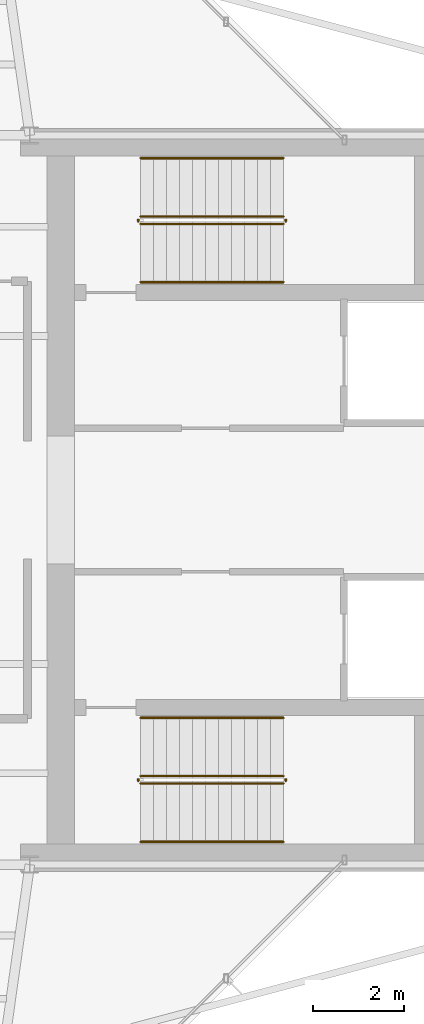
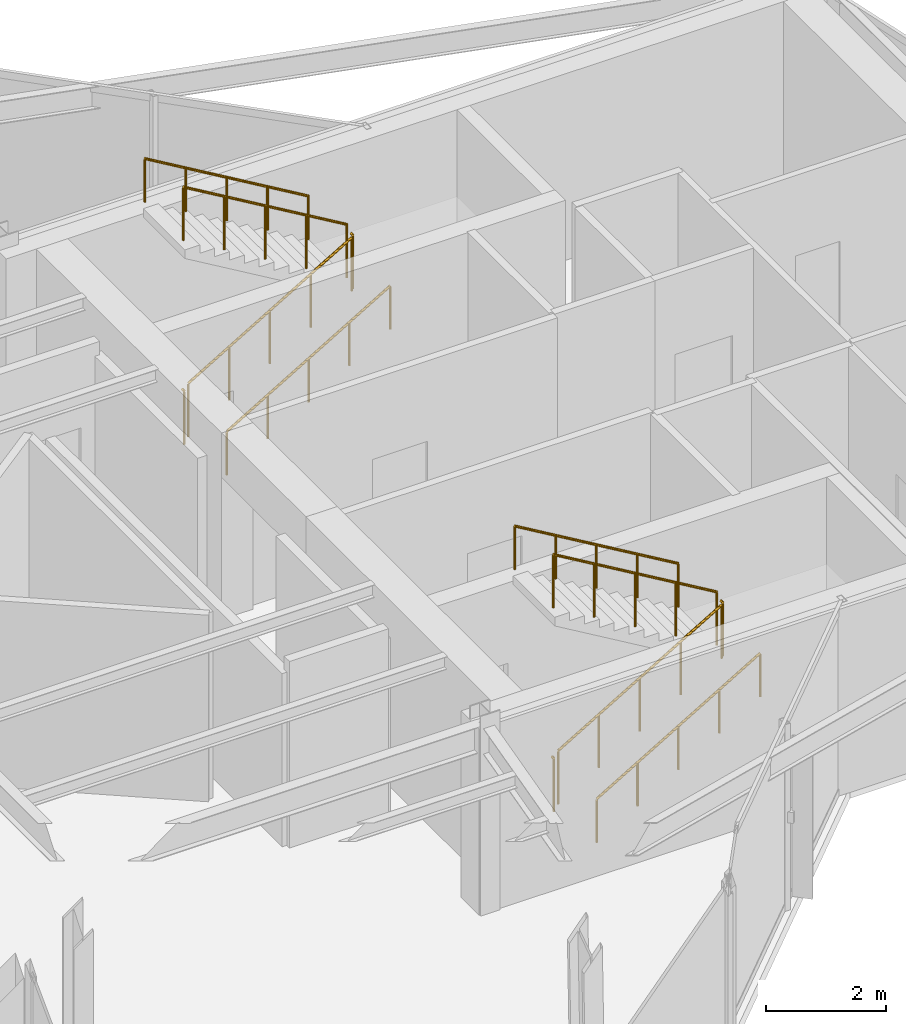
# One storey, part 13 of 13: 12 railings.
"""IFC4 building model written with IfcOpenShell, lengths in metres."""

import ifcopenshell
import ifcopenshell.guid

model = None  # the IFC model being written
_history = None  # IfcOwnerHistory: only IFC2X3 demands one
_inside = {}  # id of a spatial element -> (the spatial element, [elements in it])
_under = {}  # id of a project, library or spatial element -> (it, [spatial elements below it])
_declared = {}  # id of a project -> (the project, [libraries it declares])
_typed = {}  # id of a type object -> (the type object, [elements of that type])
_made_of = {}  # id of a material, layer set ... -> (it, [elements and type objects made of it])


def new_model(schema):
    """Start an empty IFC model of exactly this schema.

    Asked for "IFC4X3", IfcOpenShell would pick the latest addendum, in which some entities
    have other attributes; the version numbers below select the first issue.
    IFC2X3 requires an IfcOwnerHistory on every rooted entity: one is made here for all.
    """
    global model, _history
    if schema == "IFC4X3":
        model = ifcopenshell.file(schema_version=(4, 3, 0, 0))
    else:
        model = ifcopenshell.file(schema=schema)
    _inside.clear()
    _under.clear()
    _declared.clear()
    _typed.clear()
    _made_of.clear()
    _history = None
    if model.schema == "IFC2X3":
        org = make("IfcOrganization", Name="unknown")
        user = make(
            "IfcPersonAndOrganization",
            ThePerson=make("IfcPerson", FamilyName="unknown"),
            TheOrganization=org,
        )
        app = make(
            "IfcApplication",
            ApplicationDeveloper=org,
            Version="unknown",
            ApplicationFullName="unknown",
            ApplicationIdentifier="unknown",
        )
        _history = make(
            "IfcOwnerHistory",
            OwningUser=user,
            OwningApplication=app,
            ChangeAction="ADDED",
            CreationDate=0,
        )
    return model


def make(cls, **values):
    """One entity of the class cls with the attributes given. An attribute that is None is left unset."""
    return model.create_entity(
        cls, **{name: value for name, value in values.items() if value is not None}
    )


def rooted(cls, **values):
    """An entity with a GlobalId (a new one), such as an element, a storey or a relation."""
    return make(cls, GlobalId=ifcopenshell.guid.new(), OwnerHistory=_history, **values)


def si_unit(unit_type, name, prefix=None):
    """IfcSIUnit, for example si_unit("LENGTHUNIT", "METRE", prefix="MILLI")."""
    return make("IfcSIUnit", UnitType=unit_type, Prefix=prefix, Name=name)


def assignment(units):
    """IfcUnitAssignment: the units of a project."""
    return None if units is None else make("IfcUnitAssignment", Units=units)


def point(xyz):
    """IfcCartesianPoint."""
    return None if xyz is None else make("IfcCartesianPoint", Coordinates=xyz)


def direction(xyz):
    """IfcDirection."""
    return None if xyz is None else make("IfcDirection", DirectionRatios=xyz)


def frame(location, z_axis=None, x_axis=None):
    """IfcAxis2Placement3D, a coordinate frame: its origin and axes. An axis left out is left unset."""
    return make(
        "IfcAxis2Placement3D",
        Location=point(location),
        Axis=direction(z_axis),
        RefDirection=direction(x_axis),
    )


def frame_2d(location, x_axis=None):
    """IfcAxis2Placement2D, a coordinate frame in the plane: its origin and x axis."""
    return make(
        "IfcAxis2Placement2D", Location=point(location), RefDirection=direction(x_axis)
    )


def origin():
    """The frame at (0, 0, 0) with its axes left unset."""
    return frame((0.0, 0.0, 0.0))


def origin_2d():
    """The frame at (0, 0) in the plane with its x axis left unset."""
    return frame_2d((0.0, 0.0))


def place(relative_to, where):
    """IfcLocalPlacement: puts the frame where relative to a parent placement (None: the world)."""
    return make(
        "IfcLocalPlacement", PlacementRelTo=relative_to, RelativePlacement=where
    )


def context(
    kind, dimensions, precision=None, world=None, true_north=None, identifier=None
):
    """IfcGeometricRepresentationContext, for example the 3D "Model" context."""
    return make(
        "IfcGeometricRepresentationContext",
        ContextIdentifier=identifier,
        ContextType=kind,
        CoordinateSpaceDimension=dimensions,
        Precision=precision,
        WorldCoordinateSystem=world,
        TrueNorth=true_north,
    )


def subcontext(parent, identifier, kind, view, scale=None):
    """IfcGeometricRepresentationSubContext, for example "Body" below "Model"."""
    return make(
        "IfcGeometricRepresentationSubContext",
        ContextIdentifier=identifier,
        ContextType=kind,
        ParentContext=parent,
        TargetScale=scale,
        TargetView=view,
    )


def project(units=None, contexts=None):
    """IfcProject with its units and contexts."""
    return rooted(
        "IfcProject",
        Name="project",
        RepresentationContexts=contexts,
        UnitsInContext=assignment(units),
    )


def spatial(cls, under=None, at=None, **own):
    """A site, building, storey or space (cls), placed at a placement, below another one or the project."""
    s = rooted(cls, ObjectPlacement=at, **own)
    if under is not None:
        _under.setdefault(under.id(), (under, []))[1].append(s)
    return s


def profile(cls, at=None, kind="AREA", **sizes):
    """A parametric profile (cls). Its sizes go by their IFC names, for example OverallWidth=200.0."""
    return make(cls, ProfileType=kind, Position=at, **sizes)


def circle(**sizes):
    """IfcCircleProfileDef."""
    return profile("IfcCircleProfileDef", **sizes)


def extrude(swept, where, along, depth):
    """IfcExtrudedAreaSolid: the profile swept, set in the frame where, extruded along a direction by depth."""
    return make(
        "IfcExtrudedAreaSolid",
        SweptArea=swept,
        Position=where,
        ExtrudedDirection=direction(along),
        Depth=depth,
    )


def shape(context_of_items, identifier, shape_type, items):
    """IfcShapeRepresentation: the items that make up one representation, for example the "Body"."""
    return make(
        "IfcShapeRepresentation",
        ContextOfItems=context_of_items,
        RepresentationIdentifier=identifier,
        RepresentationType=shape_type,
        Items=items,
    )


def material(Name=None, Category=None):
    """IfcMaterial."""
    return make("IfcMaterial", Name=Name, Category=Category)


def made_of(thing, what):
    """Note that an element or type object is made of a material, layer set ...; save() writes the relation."""
    if what is not None:
        _made_of.setdefault(what.id(), (what, []))[1].append(thing)
    return thing


def type_object(cls, material=None, **own):
    """A type object (cls), such as IfcWallType, which elements share."""
    return made_of(rooted(cls, **own), material)


def element(
    cls,
    number,
    at=None,
    inside=None,
    cuts=None,
    type_object=None,
    material=None,
    context=None,
    identifier="Body",
    shape_type=None,
    held_by="IfcProductDefinitionShape",
    body=None,
    shapes=None,
    **own,
):
    """One element of the class cls, such as IfcWall. Its Tag is "e" and its number.

    at: its placement. inside: the storey or other place that contains it. cuts: it is an
    opening in that element (IfcRelVoidsElement). A single representation is given by context,
    identifier, shape_type and body (its items); several are given by shapes. held_by: the class
    of the entity that holds the representations. save() writes the other relations.
    """
    e = rooted(cls, Tag="e%d" % number, ObjectPlacement=at, **own)
    if body is not None:
        shapes = [shape(context, identifier, shape_type, body)]
    if shapes is not None:
        e.Representation = make(held_by, Representations=shapes)
    if inside is not None:
        _inside.setdefault(inside.id(), (inside, []))[1].append(e)
    if cuts is not None:
        rooted(
            "IfcRelVoidsElement", RelatingBuildingElement=cuts, RelatedOpeningElement=e
        )
    if type_object is not None:
        _typed.setdefault(type_object.id(), (type_object, []))[1].append(e)
    return made_of(e, material)


def aggregate(whole, parts):
    """IfcRelAggregates: a whole, such as a stair, and the parts it consists of."""
    return rooted("IfcRelAggregates", RelatingObject=whole, RelatedObjects=parts)


def save(model, path):
    """Write the relations noted so far, then the file.

    IfcRelAggregates (storeys below a building ...), IfcRelContainedInSpatialStructure (elements
    in a storey), IfcRelDefinesByType, IfcRelAssociatesMaterial and IfcRelDeclares: one each for
    every whole, place, type object, material and project.
    """
    for whole, parts in _under.values():
        aggregate(whole, parts)
    for where, things in _inside.values():
        rooted(
            "IfcRelContainedInSpatialStructure",
            RelatedElements=things,
            RelatingStructure=where,
        )
    for kind, things in _typed.values():
        rooted("IfcRelDefinesByType", RelatedObjects=things, RelatingType=kind)
    for what, things in _made_of.values():
        rooted("IfcRelAssociatesMaterial", RelatedObjects=things, RelatingMaterial=what)
    for by, libraries in _declared.values():
        rooted("IfcRelDeclares", RelatingContext=by, RelatedDefinitions=libraries)
    model.write(path)


model = new_model("IFC4")

# Units and contexts
model_context = context("Model", 3, precision=1e-05, world=origin(), true_north=direction((0.0, 1.0)))
body_context = subcontext(model_context, "Body", "Model", "MODEL_VIEW")
ifc_project = project(units=[si_unit("LENGTHUNIT", "METRE"), si_unit("AREAUNIT", "SQUARE_METRE"), si_unit("VOLUMEUNIT", "CUBIC_METRE"), si_unit("PLANEANGLEUNIT", "RADIAN"), si_unit("MASSUNIT", "GRAM", prefix="KILO")], contexts=[model_context])

# Site, building, storey
site_placement = place(None, origin())
site = spatial("IfcSite", under=ifc_project, at=site_placement, CompositionType="ELEMENT")
building_placement = place(site_placement, origin())
building = spatial("IfcBuilding", under=site, at=building_placement, Name="Veymaron Broadcast Tower", CompositionType="ELEMENT")
storey_placement = place(building_placement, frame((0.0, 0.0, 311.39990234375)))
storey = spatial("IfcBuildingStorey", under=building, at=storey_placement, Name="L73", CompositionType="ELEMENT", Elevation=311.39990234375)

# Railings
ifc_material_1 = material(Name="Brushed stainless steel AISI 304", Category="steel")
railing_type_1 = type_object("IfcRailingType", Name="RAIL-STAIR-HR", PredefinedType="HANDRAIL", material=ifc_material_1)
railing_1_placement = place(storey_placement, frame((41.429931640625, 28.780029296875, 0.1689453125)))
element("IfcRailing", 1, at=railing_1_placement, inside=storey, type_object=railing_type_1, Name="L73 ST1 stair handrail 1", PredefinedType="HANDRAIL", context=body_context, shape_type="SweptSolid", body=[
    extrude(circle(Radius=0.02392578125, at=origin_2d()), frame((0.0, 0.0, 0.8759765625), z_axis=(0.860481960309, 0.0, 0.509480908359), x_axis=(0.0, 1.0, 0.0)), (0.0, 0.0, 1.0), 3.643310546875),
    extrude(circle(Radius=0.02099609375, at=origin_2d()), origin(), (0.0, 0.0, 1.0), 0.851806640625),
    extrude(circle(Radius=0.02099609375, at=origin_2d()), frame((0.78369140625, 0.0, 0.464111328125)), (0.0, 0.0, 1.0), 0.851806640625),
    extrude(circle(Radius=0.02099609375, at=origin_2d()), frame((1.5673828125, 0.0, 0.92822265625)), (0.0, 0.0, 1.0), 0.851806640625),
    extrude(circle(Radius=0.02099609375, at=origin_2d()), frame((2.351318359375, 0.0, 1.39208984375)), (0.0, 0.0, 1.0), 0.851806640625),
    extrude(circle(Radius=0.02099609375, at=origin_2d()), frame((3.135009765625, 0.0, 1.856201171875)), (0.0, 0.0, 1.0), 0.851806640625),
])
railing_2_placement = place(storey_placement, frame((44.56494140625, 31.5, 2.19384765625)))
element("IfcRailing", 2, at=railing_2_placement, inside=storey, type_object=railing_type_1, Name="L73 ST1 stair handrail 2", PredefinedType="HANDRAIL", context=body_context, shape_type="SweptSolid", body=[
    extrude(circle(Radius=0.02392578125, at=origin_2d()), frame((0.0, 0.0, 0.8759765625), z_axis=(-0.860481960309, 0.0, 0.509480908359), x_axis=(0.0, -1.0, 0.0)), (0.0, 0.0, 1.0), 3.643310546875),
    extrude(circle(Radius=0.02099609375, at=origin_2d()), origin(), (0.0, 0.0, 1.0), 0.851806640625),
    extrude(circle(Radius=0.02099609375, at=origin_2d()), frame((-0.78369140625, 0.0, 0.464111328125)), (0.0, 0.0, 1.0), 0.851806640625),
    extrude(circle(Radius=0.02099609375, at=origin_2d()), frame((-1.5673828125, 0.0, 0.92822265625)), (0.0, 0.0, 1.0), 0.851806640625),
    extrude(circle(Radius=0.02099609375, at=origin_2d()), frame((-2.351318359375, 0.0, 1.39208984375)), (0.0, 0.0, 1.0), 0.851806640625),
    extrude(circle(Radius=0.02099609375, at=origin_2d()), frame((-3.135009765625, 0.0, 1.856201171875)), (0.0, 0.0, 1.0), 0.851806640625),
])
railing_3_placement = place(storey_placement, frame((41.429931640625, 16.5, 0.1689453125)))
element("IfcRailing", 3, at=railing_3_placement, inside=storey, type_object=railing_type_1, Name="L73 ST2 stair handrail 1", PredefinedType="HANDRAIL", context=body_context, shape_type="SweptSolid", body=[
    extrude(circle(Radius=0.02392578125, at=origin_2d()), frame((0.0, 0.0, 0.8759765625), z_axis=(0.860481960309, 0.0, 0.509480908359), x_axis=(0.0, 1.0, 0.0)), (0.0, 0.0, 1.0), 3.643310546875),
    extrude(circle(Radius=0.02099609375, at=origin_2d()), origin(), (0.0, 0.0, 1.0), 0.851806640625),
    extrude(circle(Radius=0.02099609375, at=origin_2d()), frame((0.78369140625, 0.0, 0.464111328125)), (0.0, 0.0, 1.0), 0.851806640625),
    extrude(circle(Radius=0.02099609375, at=origin_2d()), frame((1.5673828125, 0.0, 0.92822265625)), (0.0, 0.0, 1.0), 0.851806640625),
    extrude(circle(Radius=0.02099609375, at=origin_2d()), frame((2.351318359375, 0.0, 1.39208984375)), (0.0, 0.0, 1.0), 0.851806640625),
    extrude(circle(Radius=0.02099609375, at=origin_2d()), frame((3.135009765625, 0.0, 1.856201171875)), (0.0, 0.0, 1.0), 0.851806640625),
])
railing_4_placement = place(storey_placement, frame((44.56494140625, 19.219970703125, 2.19384765625)))
element("IfcRailing", 4, at=railing_4_placement, inside=storey, type_object=railing_type_1, Name="L73 ST2 stair handrail 2", PredefinedType="HANDRAIL", context=body_context, shape_type="SweptSolid", body=[
    extrude(circle(Radius=0.02392578125, at=origin_2d()), frame((0.0, 0.0, 0.8759765625), z_axis=(-0.860481960309, 0.0, 0.509480908359), x_axis=(0.0, -1.0, 0.0)), (0.0, 0.0, 1.0), 3.643310546875),
    extrude(circle(Radius=0.02099609375, at=origin_2d()), origin(), (0.0, 0.0, 1.0), 0.851806640625),
    extrude(circle(Radius=0.02099609375, at=origin_2d()), frame((-0.78369140625, 0.0, 0.464111328125)), (0.0, 0.0, 1.0), 0.851806640625),
    extrude(circle(Radius=0.02099609375, at=origin_2d()), frame((-1.5673828125, 0.0, 0.92822265625)), (0.0, 0.0, 1.0), 0.851806640625),
    extrude(circle(Radius=0.02099609375, at=origin_2d()), frame((-2.351318359375, 0.0, 1.39208984375)), (0.0, 0.0, 1.0), 0.851806640625),
    extrude(circle(Radius=0.02099609375, at=origin_2d()), frame((-3.135009765625, 0.0, 1.856201171875)), (0.0, 0.0, 1.0), 0.851806640625),
])
ifc_material_2 = material(Name="Painted galvanized steel balustrade", Category="steel")
railing_type_2 = type_object("IfcRailingType", Name="RAIL-WELL-GRD", PredefinedType="GUARDRAIL", material=ifc_material_2)
railing_5_placement = place(storey_placement, frame((41.429931640625, 30.06005859375, 0.1689453125)))
element("IfcRailing", 5, at=railing_5_placement, inside=storey, type_object=railing_type_2, Name="L73 ST1 stair guard 1", PredefinedType="GUARDRAIL", context=body_context, shape_type="SweptSolid", body=[
    extrude(circle(Radius=0.02392578125, at=origin_2d()), frame((0.0, 0.0, 1.076171875), z_axis=(0.860481960309, 0.0, 0.509480908359), x_axis=(0.0, 1.0, 0.0)), (0.0, 0.0, 1.0), 3.643310546875),
    extrude(circle(Radius=0.02099609375, at=origin_2d()), origin(), (0.0, 0.0, 1.0), 1.052001953125),
    extrude(circle(Radius=0.02099609375, at=origin_2d()), frame((0.78369140625, 0.0, 0.464111328125)), (0.0, 0.0, 1.0), 1.052001953125),
    extrude(circle(Radius=0.02099609375, at=origin_2d()), frame((1.5673828125, 0.0, 0.92822265625)), (0.0, 0.0, 1.0), 1.052001953125),
    extrude(circle(Radius=0.02099609375, at=origin_2d()), frame((2.351318359375, 0.0, 1.39208984375)), (0.0, 0.0, 1.0), 1.052001953125),
    extrude(circle(Radius=0.02099609375, at=origin_2d()), frame((3.135009765625, 0.0, 1.856201171875)), (0.0, 0.0, 1.0), 1.052001953125),
])
railing_6_placement = place(storey_placement, frame((44.614990234375, 30.110107421875, 2.025146484375)))
element("IfcRailing", 6, at=railing_6_placement, inside=storey, type_object=railing_type_2, Name="L73 ST1 stair guard 2", PredefinedType="GUARDRAIL", context=body_context, shape_type="SweptSolid", body=[
    extrude(circle(Radius=0.02392578125, at=origin_2d()), frame((0.0, 0.0, 1.076171875), z_axis=(0.0, 1.0, 0.0), x_axis=(-1.0, 0.0, 0.0)), (0.0, 0.0, 1.0), 0.059814453125),
    extrude(circle(Radius=0.02099609375, at=origin_2d()), origin(), (0.0, 0.0, 1.0), 1.052001953125),
])
railing_7_placement = place(storey_placement, frame((44.56494140625, 30.219970703125, 2.19384765625)))
element("IfcRailing", 7, at=railing_7_placement, inside=storey, type_object=railing_type_2, Name="L73 ST1 stair guard 3", PredefinedType="GUARDRAIL", context=body_context, shape_type="SweptSolid", body=[
    extrude(circle(Radius=0.02392578125, at=origin_2d()), frame((0.0, 0.0, 1.076171875), z_axis=(-0.860481960309, 0.0, 0.509480908359), x_axis=(0.0, -1.0, 0.0)), (0.0, 0.0, 1.0), 3.643310546875),
    extrude(circle(Radius=0.02099609375, at=origin_2d()), origin(), (0.0, 0.0, 1.0), 1.052001953125),
    extrude(circle(Radius=0.02099609375, at=origin_2d()), frame((-0.78369140625, 0.0, 0.464111328125)), (0.0, 0.0, 1.0), 1.052001953125),
    extrude(circle(Radius=0.02099609375, at=origin_2d()), frame((-1.5673828125, 0.0, 0.92822265625)), (0.0, 0.0, 1.0), 1.052001953125),
    extrude(circle(Radius=0.02099609375, at=origin_2d()), frame((-2.351318359375, 0.0, 1.39208984375)), (0.0, 0.0, 1.0), 1.052001953125),
    extrude(circle(Radius=0.02099609375, at=origin_2d()), frame((-3.135009765625, 0.0, 1.856201171875)), (0.0, 0.0, 1.0), 1.052001953125),
])
railing_8_placement = place(storey_placement, frame((41.3798828125, 30.110107421875, 0.0)))
element("IfcRailing", 8, at=railing_8_placement, inside=storey, type_object=railing_type_2, Name="L73 ST1 stair guard 4", PredefinedType="GUARDRAIL", context=body_context, shape_type="SweptSolid", body=[
    extrude(circle(Radius=0.02392578125, at=origin_2d()), frame((0.0, 0.0, 1.076171875), z_axis=(0.0, 1.0, 0.0), x_axis=(-1.0, 0.0, 0.0)), (0.0, 0.0, 1.0), 0.059814453125),
    extrude(circle(Radius=0.02099609375, at=origin_2d()), origin(), (0.0, 0.0, 1.0), 1.052001953125),
])
railing_9_placement = place(storey_placement, frame((41.429931640625, 17.780029296875, 0.1689453125)))
element("IfcRailing", 9, at=railing_9_placement, inside=storey, type_object=railing_type_2, Name="L73 ST2 stair guard 1", PredefinedType="GUARDRAIL", context=body_context, shape_type="SweptSolid", body=[
    extrude(circle(Radius=0.02392578125, at=origin_2d()), frame((0.0, 0.0, 1.076171875), z_axis=(0.860481960309, 0.0, 0.509480908359), x_axis=(0.0, 1.0, 0.0)), (0.0, 0.0, 1.0), 3.643310546875),
    extrude(circle(Radius=0.02099609375, at=origin_2d()), origin(), (0.0, 0.0, 1.0), 1.052001953125),
    extrude(circle(Radius=0.02099609375, at=origin_2d()), frame((0.78369140625, 0.0, 0.464111328125)), (0.0, 0.0, 1.0), 1.052001953125),
    extrude(circle(Radius=0.02099609375, at=origin_2d()), frame((1.5673828125, 0.0, 0.92822265625)), (0.0, 0.0, 1.0), 1.052001953125),
    extrude(circle(Radius=0.02099609375, at=origin_2d()), frame((2.351318359375, 0.0, 1.39208984375)), (0.0, 0.0, 1.0), 1.052001953125),
    extrude(circle(Radius=0.02099609375, at=origin_2d()), frame((3.135009765625, 0.0, 1.856201171875)), (0.0, 0.0, 1.0), 1.052001953125),
])
railing_10_placement = place(storey_placement, frame((44.614990234375, 17.830078125, 2.025146484375)))
element("IfcRailing", 10, at=railing_10_placement, inside=storey, type_object=railing_type_2, Name="L73 ST2 stair guard 2", PredefinedType="GUARDRAIL", context=body_context, shape_type="SweptSolid", body=[
    extrude(circle(Radius=0.02392578125, at=origin_2d()), frame((0.0, 0.0, 1.076171875), z_axis=(0.0, 1.0, 0.0), x_axis=(-1.0, 0.0, 0.0)), (0.0, 0.0, 1.0), 0.059814453125),
    extrude(circle(Radius=0.02099609375, at=origin_2d()), origin(), (0.0, 0.0, 1.0), 1.052001953125),
])
railing_11_placement = place(storey_placement, frame((44.56494140625, 17.93994140625, 2.19384765625)))
element("IfcRailing", 11, at=railing_11_placement, inside=storey, type_object=railing_type_2, Name="L73 ST2 stair guard 3", PredefinedType="GUARDRAIL", context=body_context, shape_type="SweptSolid", body=[
    extrude(circle(Radius=0.02392578125, at=origin_2d()), frame((0.0, 0.0, 1.076171875), z_axis=(-0.860481960309, 0.0, 0.509480908359), x_axis=(0.0, -1.0, 0.0)), (0.0, 0.0, 1.0), 3.643310546875),
    extrude(circle(Radius=0.02099609375, at=origin_2d()), origin(), (0.0, 0.0, 1.0), 1.052001953125),
    extrude(circle(Radius=0.02099609375, at=origin_2d()), frame((-0.78369140625, 0.0, 0.464111328125)), (0.0, 0.0, 1.0), 1.052001953125),
    extrude(circle(Radius=0.02099609375, at=origin_2d()), frame((-1.5673828125, 0.0, 0.92822265625)), (0.0, 0.0, 1.0), 1.052001953125),
    extrude(circle(Radius=0.02099609375, at=origin_2d()), frame((-2.351318359375, 0.0, 1.39208984375)), (0.0, 0.0, 1.0), 1.052001953125),
    extrude(circle(Radius=0.02099609375, at=origin_2d()), frame((-3.135009765625, 0.0, 1.856201171875)), (0.0, 0.0, 1.0), 1.052001953125),
])
railing_12_placement = place(storey_placement, frame((41.3798828125, 17.830078125, 0.0)))
element("IfcRailing", 12, at=railing_12_placement, inside=storey, type_object=railing_type_2, Name="L73 ST2 stair guard 4", PredefinedType="GUARDRAIL", context=body_context, shape_type="SweptSolid", body=[
    extrude(circle(Radius=0.02392578125, at=origin_2d()), frame((0.0, 0.0, 1.076171875), z_axis=(0.0, 1.0, 0.0), x_axis=(-1.0, 0.0, 0.0)), (0.0, 0.0, 1.0), 0.059814453125),
    extrude(circle(Radius=0.02099609375, at=origin_2d()), origin(), (0.0, 0.0, 1.0), 1.052001953125),
])

save(model, "model.ifc")
